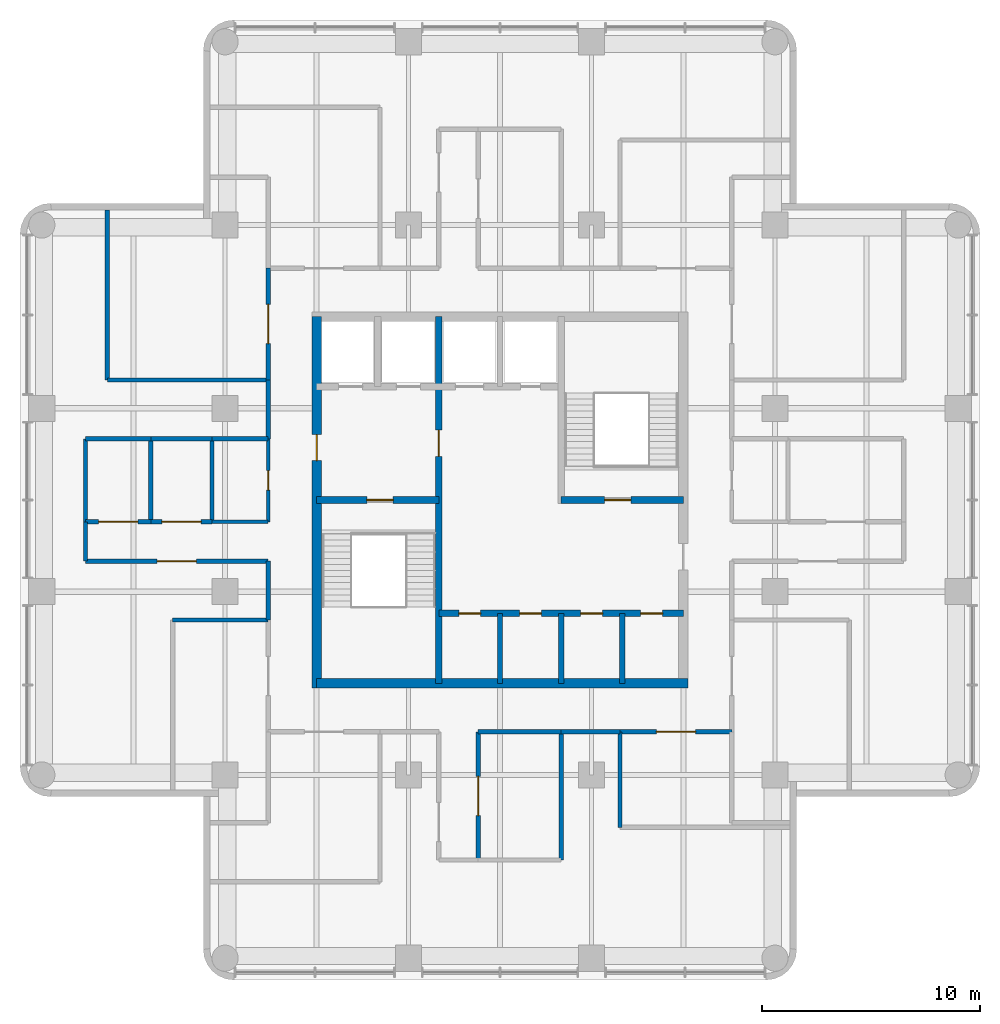
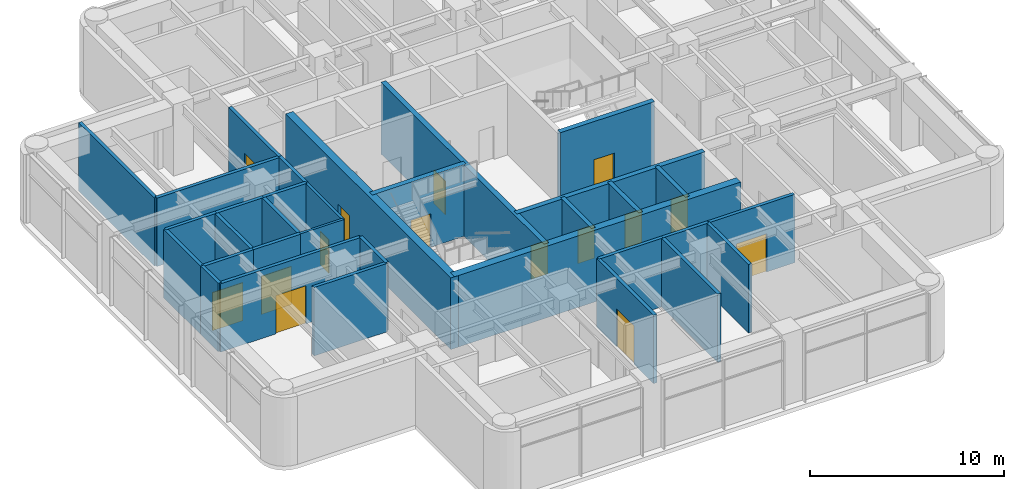
# One storey, part 5 of 8: 33 walls, 15 doors, 15 openings.
"""IFC4 building model written with IfcOpenShell, lengths in metres."""

from ifc_helpers import new_model, si_unit, direction, frame, frame_2d, origin, place, context, subcontext, project, spatial, rectangle, extrude, material, layer, layer_set, type_object, element, fill, save


model = new_model("IFC4")

# Units and contexts
model_context = context("Model", 3, precision=1e-05, world=origin(), true_north=direction((0.0, 1.0)))
body_context = subcontext(model_context, "Body", "Model", "MODEL_VIEW")
ifc_project = project(units=[si_unit("LENGTHUNIT", "METRE"), si_unit("AREAUNIT", "SQUARE_METRE"), si_unit("VOLUMEUNIT", "CUBIC_METRE"), si_unit("PLANEANGLEUNIT", "RADIAN"), si_unit("MASSUNIT", "GRAM", prefix="KILO")], contexts=[model_context])

# Site, building, storey
site_placement = place(None, origin())
site = spatial("IfcSite", under=ifc_project, at=site_placement, CompositionType="ELEMENT")
building_placement = place(site_placement, origin())
building = spatial("IfcBuilding", under=site, at=building_placement, Name="Torre Alcanfor", CompositionType="ELEMENT")
storey_placement = place(building_placement, frame((0.0, 0.0, 305.39990234375)))
storey = spatial("IfcBuildingStorey", under=building, at=storey_placement, Name="L80", CompositionType="ELEMENT", Elevation=305.39990234375)

# Wall, opening, door
ifc_material_1 = material(Name="Concrete f'c 70 MPa", Category="concrete")
ifc_layer_1 = layer(ifc_material_1, 0.300048828125)
ifc_layer_set_1 = layer_set([ifc_layer_1], Name="Core inner wall 300 f'c70")
wall_type_1 = type_object("IfcWallType", Name="Core inner wall 300 f'c70", PredefinedType="SHEAR", material=ifc_layer_set_1)
wall_1_placement = place(storey_placement, frame((26.60009765625, 21.0, 0.0), z_axis=(0.0, 0.0, 1.0), x_axis=(0.0, 1.0, 0.0)))
wall_1 = element("IfcWall", 1, at=wall_1_placement, inside=storey, type_object=wall_type_1, Name="Core wall X266 L80", PredefinedType="SHEAR", context=body_context, shape_type="SweptSolid", body=[
    extrude(rectangle(XDim=16.800048828125, YDim=0.300048828125, at=frame_2d((8.39990234375, 0.0))), origin(), (0.0, 0.0, 1.0), 4.5),
])
opening_1_placement = place(wall_1_placement, frame((10.39990234375, 0.0, 0.0)))
opening_1 = element("IfcOpeningElement", 2, at=opening_1_placement, cuts=wall_1, Name="Opening D-L1", PredefinedType="OPENING", context=body_context, shape_type="SweptSolid", body=[
    extrude(rectangle(XDim=1.199951171875, YDim=2.10009765625, at=frame_2d((0.60009765625, 1.050048828125))), frame((0.0, 0.159912109375, 0.0), z_axis=(0.0, -1.0, 0.0), x_axis=(1.0, 0.0, 0.0)), (0.0, 0.0, 1.0), 0.320068359375),
])
ifc_material_2 = material(Name="Galvanised steel sheet ASTM A653", Category="steel")
door_type_1 = type_object("IfcDoorType", Name="Lobby door FD120 1200x2100", OperationType="SINGLE_SWING_LEFT", PredefinedType="DOOR", material=ifc_material_2)
door_1_placement = place(opening_1_placement, origin())
door_1 = element("IfcDoor", 3, at=door_1_placement, inside=storey, type_object=door_type_1, Name="Lift lobby door L80", OperationType="SINGLE_SWING_LEFT", OverallHeight=2.10009765625, OverallWidth=1.199951171875, PredefinedType="DOOR", context=body_context, shape_type="SweptSolid", body=[
    extrude(rectangle(XDim=1.199951171875, YDim=2.10009765625, at=frame_2d((0.60009765625, 1.050048828125))), frame((0.0, 0.02490234375, 0.0), z_axis=(0.0, -1.0, 0.0), x_axis=(1.0, 0.0, 0.0)), (0.0, 0.0, 1.0), 0.050048828125),
])
fill(opening_1, door_1)

wall_2_placement = place(storey_placement, frame((21.0, 29.39990234375, 0.0), z_axis=(0.0, 0.0, 1.0), x_axis=(1.0, 0.0, 0.0)))
wall_2 = element("IfcWall", 4, at=wall_2_placement, inside=storey, type_object=wall_type_1, Name="Core wall Y294W L80", PredefinedType="SHEAR", context=body_context, shape_type="SweptSolid", body=[
    extrude(rectangle(XDim=5.60009765625, YDim=0.300048828125, at=frame_2d((2.800048828125, 0.0))), origin(), (0.0, 0.0, 1.0), 4.5),
])
opening_2_placement = place(wall_2_placement, frame((2.300048828125, 0.0, 0.0)))
opening_2 = element("IfcOpeningElement", 5, at=opening_2_placement, cuts=wall_2, Name="Opening D-S2", PredefinedType="OPENING", context=body_context, shape_type="SweptSolid", body=[
    extrude(rectangle(XDim=1.199951171875, YDim=2.10009765625, at=frame_2d((0.60009765625, 1.050048828125))), frame((0.0, 0.159912109375, 0.0), z_axis=(0.0, -1.0, 0.0), x_axis=(1.0, 0.0, 0.0)), (0.0, 0.0, 1.0), 0.320068359375),
])
ifc_material_3 = material(Name="Galvanised steel sheet ASTM A653", Category="steel")
door_type_2 = type_object("IfcDoorType", Name="Stair enclosure door FD120 1200x2100", OperationType="SINGLE_SWING_LEFT", PredefinedType="DOOR", material=ifc_material_3)
door_2_placement = place(opening_2_placement, frame((1.199951171875, 0.0, 0.0), z_axis=(0.0, 0.0, 1.0), x_axis=(-1.0, 0.0, 0.0)))
door_2 = element("IfcDoor", 6, at=door_2_placement, inside=storey, type_object=door_type_2, Name="Stair S1 door L80", OperationType="SINGLE_SWING_LEFT", OverallHeight=2.10009765625, OverallWidth=1.199951171875, PredefinedType="DOOR", context=body_context, shape_type="SweptSolid", body=[
    extrude(rectangle(XDim=1.199951171875, YDim=2.10009765625, at=frame_2d((0.599853515625, 1.050048828125))), frame((0.0, 0.025146484375, 0.0), z_axis=(0.0, -1.0, 0.0), x_axis=(1.0, 0.0, 0.0)), (0.0, 0.0, 1.0), 0.050048828125),
])
fill(opening_2, door_2)

# Wall, openings, doors
wall_3_placement = place(storey_placement, frame((26.60009765625, 24.199951171875, 0.0), z_axis=(0.0, 0.0, 1.0), x_axis=(1.0, 0.0, 0.0)))
wall_3 = element("IfcWall", 7, at=wall_3_placement, inside=storey, type_object=wall_type_1, Name="Core wall Y242 L80", PredefinedType="SHEAR", context=body_context, shape_type="SweptSolid", body=[
    extrude(rectangle(XDim=11.199951171875, YDim=0.300048828125, at=frame_2d((5.60009765625, 0.0))), origin(), (0.0, 0.0, 1.0), 4.5),
])
opening_3_placement = place(wall_3_placement, frame((0.91259765625, 0.0, 0.0)))
opening_3 = element("IfcOpeningElement", 8, at=opening_3_placement, cuts=wall_3, Name="Opening D-K1", PredefinedType="OPENING", context=body_context, shape_type="SweptSolid", body=[
    extrude(rectangle(XDim=1.0, YDim=2.10009765625, at=frame_2d((0.5, 1.050048828125))), frame((0.0, 0.159912109375, 0.0), z_axis=(0.0, -1.0, 0.0), x_axis=(1.0, 0.0, 0.0)), (0.0, 0.0, 1.0), 0.320068359375),
])
opening_4_placement = place(wall_3_placement, frame((3.699951171875, 0.0, 0.0)))
opening_4 = element("IfcOpeningElement", 9, at=opening_4_placement, cuts=wall_3, Name="Opening D-K1", PredefinedType="OPENING", context=body_context, shape_type="SweptSolid", body=[
    extrude(rectangle(XDim=1.0, YDim=2.10009765625, at=frame_2d((0.5, 1.050048828125))), frame((0.0, 0.159912109375, 0.0), z_axis=(0.0, -1.0, 0.0), x_axis=(1.0, 0.0, 0.0)), (0.0, 0.0, 1.0), 0.320068359375),
])
opening_5_placement = place(wall_3_placement, frame((6.5, 0.0, 0.0)))
opening_5 = element("IfcOpeningElement", 10, at=opening_5_placement, cuts=wall_3, Name="Opening D-K1", PredefinedType="OPENING", context=body_context, shape_type="SweptSolid", body=[
    extrude(rectangle(XDim=1.0, YDim=2.10009765625, at=frame_2d((0.5, 1.050048828125))), frame((0.0, 0.159912109375, 0.0), z_axis=(0.0, -1.0, 0.0), x_axis=(1.0, 0.0, 0.0)), (0.0, 0.0, 1.0), 0.320068359375),
])
opening_6_placement = place(wall_3_placement, frame((9.25, 0.0, 0.0)))
opening_6 = element("IfcOpeningElement", 11, at=opening_6_placement, cuts=wall_3, Name="Opening D-K1", PredefinedType="OPENING", context=body_context, shape_type="SweptSolid", body=[
    extrude(rectangle(XDim=1.0, YDim=2.10009765625, at=frame_2d((0.5, 1.050048828125))), frame((0.0, 0.159912109375, 0.0), z_axis=(0.0, -1.0, 0.0), x_axis=(1.0, 0.0, 0.0)), (0.0, 0.0, 1.0), 0.320068359375),
])
ifc_material_4 = material(Name="Galvanised steel sheet ASTM A653", Category="steel")
door_type_3 = type_object("IfcDoorType", Name="Core room door FD60 1000x2100", OperationType="SINGLE_SWING_LEFT", PredefinedType="DOOR", material=ifc_material_4)
door_3_placement = place(opening_3_placement, frame((1.0, 0.0, 0.0), z_axis=(0.0, 0.0, 1.0), x_axis=(-1.0, 0.0, 0.0)))
door_3 = element("IfcDoor", 12, at=door_3_placement, inside=storey, type_object=door_type_3, Name="Plant store door L80", OperationType="SINGLE_SWING_RIGHT", OverallHeight=2.10009765625, OverallWidth=1.0, PredefinedType="DOOR", context=body_context, shape_type="SweptSolid", body=[
    extrude(rectangle(XDim=1.0, YDim=2.10009765625, at=frame_2d((0.5, 1.050048828125))), frame((0.0, 0.025146484375, 0.0), z_axis=(0.0, -1.0, 0.0), x_axis=(1.0, 0.0, 0.0)), (0.0, 0.0, 1.0), 0.050048828125),
])
fill(opening_3, door_3)
door_4_placement = place(opening_4_placement, frame((1.0, 0.0, 0.0), z_axis=(0.0, 0.0, 1.0), x_axis=(-1.0, 0.0, 0.0)))
door_4 = element("IfcDoor", 13, at=door_4_placement, inside=storey, type_object=door_type_3, Name="Maintenance store door L80", OperationType="SINGLE_SWING_RIGHT", OverallHeight=2.10009765625, OverallWidth=1.0, PredefinedType="DOOR", context=body_context, shape_type="SweptSolid", body=[
    extrude(rectangle(XDim=1.0, YDim=2.10009765625, at=frame_2d((0.5, 1.050048828125))), frame((0.0, 0.025146484375, 0.0), z_axis=(0.0, -1.0, 0.0), x_axis=(1.0, 0.0, 0.0)), (0.0, 0.0, 1.0), 0.050048828125),
])
fill(opening_4, door_4)
door_5_placement = place(opening_5_placement, frame((1.0, 0.0, 0.0), z_axis=(0.0, 0.0, 1.0), x_axis=(-1.0, 0.0, 0.0)))
door_5 = element("IfcDoor", 14, at=door_5_placement, inside=storey, type_object=door_type_3, Name="Plant maintenance store door L80", OperationType="SINGLE_SWING_RIGHT", OverallHeight=2.10009765625, OverallWidth=1.0, PredefinedType="DOOR", context=body_context, shape_type="SweptSolid", body=[
    extrude(rectangle(XDim=1.0, YDim=2.10009765625, at=frame_2d((0.5, 1.050048828125))), frame((0.0, 0.025146484375, 0.0), z_axis=(0.0, -1.0, 0.0), x_axis=(1.0, 0.0, 0.0)), (0.0, 0.0, 1.0), 0.050048828125),
])
fill(opening_5, door_5)
door_6_placement = place(opening_6_placement, frame((1.0, 0.0, 0.0), z_axis=(0.0, 0.0, 1.0), x_axis=(-1.0, 0.0, 0.0)))
door_6 = element("IfcDoor", 15, at=door_6_placement, inside=storey, type_object=door_type_3, Name="Plant spares store door L80", OperationType="SINGLE_SWING_RIGHT", OverallHeight=2.10009765625, OverallWidth=1.0, PredefinedType="DOOR", context=body_context, shape_type="SweptSolid", body=[
    extrude(rectangle(XDim=1.0, YDim=2.10009765625, at=frame_2d((0.5, 1.050048828125))), frame((0.0, 0.025146484375, 0.0), z_axis=(0.0, -1.0, 0.0), x_axis=(1.0, 0.0, 0.0)), (0.0, 0.0, 1.0), 0.050048828125),
])
fill(opening_6, door_6)

# Wall, opening, door
wall_4_placement = place(storey_placement, frame((32.199951171875, 29.39990234375, 0.0), z_axis=(0.0, 0.0, 1.0), x_axis=(1.0, 0.0, 0.0)))
wall_4 = element("IfcWall", 16, at=wall_4_placement, inside=storey, type_object=wall_type_1, Name="Core wall Y294E L80", PredefinedType="SHEAR", context=body_context, shape_type="SweptSolid", body=[
    extrude(rectangle(XDim=5.60009765625, YDim=0.300048828125, at=frame_2d((2.800048828125, 0.0))), origin(), (0.0, 0.0, 1.0), 4.5),
])
opening_7_placement = place(wall_4_placement, frame((2.0, 0.0, 0.0)))
opening_7 = element("IfcOpeningElement", 17, at=opening_7_placement, cuts=wall_4, Name="Opening D-S2", PredefinedType="OPENING", context=body_context, shape_type="SweptSolid", body=[
    extrude(rectangle(XDim=1.199951171875, YDim=2.10009765625, at=frame_2d((0.60009765625, 1.050048828125))), frame((0.0, 0.159912109375, 0.0), z_axis=(0.0, -1.0, 0.0), x_axis=(1.0, 0.0, 0.0)), (0.0, 0.0, 1.0), 0.320068359375),
])
door_7_placement = place(opening_7_placement, origin())
door_7 = element("IfcDoor", 18, at=door_7_placement, inside=storey, type_object=door_type_2, Name="Stair S2 door L80", OperationType="SINGLE_SWING_LEFT", OverallHeight=2.10009765625, OverallWidth=1.199951171875, PredefinedType="DOOR", context=body_context, shape_type="SweptSolid", body=[
    extrude(rectangle(XDim=1.199951171875, YDim=2.10009765625, at=frame_2d((0.60009765625, 1.050048828125))), frame((0.0, 0.02490234375, 0.0), z_axis=(0.0, -1.0, 0.0), x_axis=(1.0, 0.0, 0.0)), (0.0, 0.0, 1.0), 0.050048828125),
])
fill(opening_7, door_7)

# Walls
ifc_material_5 = material(Name="Concrete f'c 70 MPa", Category="concrete")
ifc_layer_2 = layer(ifc_material_5, 0.25)
ifc_layer_set_2 = layer_set([ifc_layer_2], Name="Core shaft wall 250 f'c70")
wall_type_2 = type_object("IfcWallType", Name="Core shaft wall 250 f'c70", PredefinedType="SHEAR", material=ifc_layer_set_2)
for number, where, z_axis, x_axis, name in (
    (19, (29.39990234375, 21.0, 0.0), (0.0, 0.0, 1.0), (0.0, 1.0, 0.0), "Core wall X294S L80"),
    (20, (32.199951171875, 21.0, 0.0), (0.0, 0.0, 1.0), (0.0, 1.0, 0.0), "Core wall X322S L80"),
    (21, (35.0, 21.0, 0.0), (0.0, 0.0, 1.0), (0.0, 1.0, 0.0), "Core wall X350S L80"),
):
    element("IfcWall", number, at=place(storey_placement, frame(where, z_axis=z_axis, x_axis=x_axis)), inside=storey, type_object=wall_type_2, Name=name, PredefinedType="SHEAR", context=body_context, shape_type="SweptSolid", body=[
        extrude(rectangle(XDim=3.199951171875, YDim=0.25, at=frame_2d((1.60009765625, 0.0))), origin(), (0.0, 0.0, 1.0), 4.5),
    ])
ifc_material_6 = material(Name="Concrete f'c 70 MPa", Category="concrete")
ifc_layer_3 = layer(ifc_material_6, 0.449951171875)
ifc_layer_set_3 = layer_set([ifc_layer_3], Name="Core wall 450 f'c70")
wall_type_3 = type_object("IfcWallType", Name="Core wall 450 f'c70", PredefinedType="SHEAR", material=ifc_layer_set_3)
wall_5_placement = place(storey_placement, frame((21.0, 21.0, 0.0), z_axis=(0.0, 0.0, 1.0), x_axis=(1.0, 0.0, 0.0)))
element("IfcWall", 22, at=wall_5_placement, inside=storey, type_object=wall_type_3, Name="Core wall OUT-S L80", PredefinedType="SHEAR", context=body_context, shape_type="SweptSolid", body=[
    extrude(rectangle(XDim=17.02490234375, YDim=0.449951171875, at=frame_2d((8.512451171875, 0.0))), origin(), (0.0, 0.0, 1.0), 4.5),
])

# Wall, opening, door
wall_6_placement = place(storey_placement, frame((21.0, 37.800048828125, 0.0), z_axis=(0.0, 0.0, 1.0), x_axis=(0.0, -1.0, 0.0)))
wall_6 = element("IfcWall", 23, at=wall_6_placement, inside=storey, type_object=wall_type_3, Name="Core wall OUT-W L80", PredefinedType="SHEAR", context=body_context, shape_type="SweptSolid", body=[
    extrude(rectangle(XDim=17.025146484375, YDim=0.449951171875, at=frame_2d((8.5126953125, 0.0))), origin(), (0.0, 0.0, 1.0), 4.5),
])
opening_8_placement = place(wall_6_placement, frame((5.39990234375, 0.0, 0.0)))
opening_8 = element("IfcOpeningElement", 24, at=opening_8_placement, cuts=wall_6, Name="Opening D-L1", PredefinedType="OPENING", context=body_context, shape_type="SweptSolid", body=[
    extrude(rectangle(XDim=1.199951171875, YDim=2.10009765625, at=frame_2d((0.60009765625, 1.050048828125))), frame((0.0, 0.23486328125, 0.0), z_axis=(0.0, -1.0, 0.0), x_axis=(1.0, 0.0, 0.0)), (0.0, 0.0, 1.0), 0.469970703125),
])
door_8_placement = place(opening_8_placement, origin())
door_8 = element("IfcDoor", 25, at=door_8_placement, inside=storey, type_object=door_type_1, Name="Firefighting lobby door L80", OperationType="SINGLE_SWING_RIGHT", OverallHeight=2.10009765625, OverallWidth=1.199951171875, PredefinedType="DOOR", context=body_context, shape_type="SweptSolid", body=[
    extrude(rectangle(XDim=1.199951171875, YDim=2.10009765625, at=frame_2d((0.60009765625, 1.050048828125))), frame((0.0, 0.02490234375, 0.0), z_axis=(0.0, -1.0, 0.0), x_axis=(1.0, 0.0, 0.0)), (0.0, 0.0, 1.0), 0.050048828125),
])
fill(opening_8, door_8)

ifc_material_7 = material(Name="Concrete block masonry, hollow blocks NMX-C-404 9 MPa", Category="masonry")
ifc_layer_4 = layer(ifc_material_7, 0.199951171875)
ifc_layer_set_4 = layer_set([ifc_layer_4], Name="Plant room wall 200 EI 60")
wall_type_4 = type_object("IfcWallType", Name="Plant room wall 200 EI 60", PredefinedType="PARTITIONING", material=ifc_layer_set_4)
wall_7_placement = place(storey_placement, frame((40.02490234375, 18.77490234375, 0.0), z_axis=(0.0, 0.0, 1.0), x_axis=(-1.0, 0.0, 0.0)))
wall_7 = element("IfcWall", 26, at=wall_7_placement, inside=storey, type_object=wall_type_4, Name="Partition L80-CORR / L80-S2", PredefinedType="PARTITIONING", context=body_context, shape_type="SweptSolid", body=[
    extrude(rectangle(XDim=5.125, YDim=0.199951171875, at=frame_2d((2.5625, 0.0))), origin(), (0.0, 0.0, 1.0), 4.300048828125),
])
opening_9_placement = place(wall_7_placement, frame((1.66259765625, 0.0, 0.0)))
opening_9 = element("IfcOpeningElement", 27, at=opening_9_placement, cuts=wall_7, Name="Opening D-P1", PredefinedType="OPENING", context=body_context, shape_type="SweptSolid", body=[
    extrude(rectangle(XDim=1.800048828125, YDim=2.39990234375, at=frame_2d((0.89990234375, 1.199951171875))), frame((0.0, 0.10986328125, 0.0), z_axis=(0.0, -1.0, 0.0), x_axis=(1.0, 0.0, 0.0)), (0.0, 0.0, 1.0), 0.219970703125),
])
ifc_material_8 = material(Name="Galvanised steel sheet ASTM A653", Category="steel")
door_type_4 = type_object("IfcDoorType", Name="Plant room door FD60 1800x2400", OperationType="DOUBLE_DOOR_SINGLE_SWING", PredefinedType="DOOR", material=ifc_material_8)
door_9_placement = place(opening_9_placement, origin())
door_9 = element("IfcDoor", 28, at=door_9_placement, inside=storey, type_object=door_type_4, Name="Door L80-S2 booster pump room", OperationType="DOUBLE_DOOR_SINGLE_SWING", OverallHeight=2.39990234375, OverallWidth=1.800048828125, PredefinedType="DOOR", context=body_context, shape_type="SweptSolid", body=[
    extrude(rectangle(XDim=1.800048828125, YDim=2.39990234375, at=frame_2d((0.89990234375, 1.199951171875))), frame((0.0, 0.02490234375, 0.0), z_axis=(0.0, -1.0, 0.0), x_axis=(1.0, 0.0, 0.0)), (0.0, 0.0, 1.0), 0.050048828125),
])
fill(opening_9, door_9)

# Walls
wall_8_placement = place(storey_placement, frame((32.199951171875, 18.77490234375, 0.0), z_axis=(0.0, 0.0, 1.0), x_axis=(-1.0, 0.0, 0.0)))
element("IfcWall", 29, at=wall_8_placement, inside=storey, type_object=wall_type_4, Name="Partition L80-CORR / L80-S3", PredefinedType="PARTITIONING", context=body_context, shape_type="SweptSolid", body=[
    extrude(rectangle(XDim=3.800048828125, YDim=0.199951171875, at=frame_2d((1.89990234375, 0.0))), origin(), (0.0, 0.0, 1.0), 4.300048828125),
])
wall_9_placement = place(storey_placement, frame((34.89990234375, 18.77490234375, 0.0), z_axis=(0.0, 0.0, 1.0), x_axis=(-1.0, 0.0, 0.0)))
element("IfcWall", 30, at=wall_9_placement, inside=storey, type_object=wall_type_4, Name="Partition L80-CORR / L80-SH", PredefinedType="PARTITIONING", context=body_context, shape_type="SweptSolid", body=[
    extrude(rectangle(XDim=2.699951171875, YDim=0.199951171875, at=frame_2d((1.35009765625, 0.0))), origin(), (0.0, 0.0, 1.0), 4.300048828125),
])

# Wall, opening, door
wall_10_placement = place(storey_placement, frame((18.77490234375, 34.89990234375, 0.0), z_axis=(0.0, 0.0, 1.0), x_axis=(0.0, 1.0, 0.0)))
wall_10 = element("IfcWall", 31, at=wall_10_placement, inside=storey, type_object=wall_type_4, Name="Partition L80-CORR / L80-W2", PredefinedType="PARTITIONING", context=body_context, shape_type="SweptSolid", body=[
    extrude(rectangle(XDim=5.125, YDim=0.199951171875, at=frame_2d((2.5625, 0.0))), origin(), (0.0, 0.0, 1.0), 4.300048828125),
])
opening_10_placement = place(wall_10_placement, frame((1.66259765625, 0.0, 0.0)))
opening_10 = element("IfcOpeningElement", 32, at=opening_10_placement, cuts=wall_10, Name="Opening D-P1", PredefinedType="OPENING", context=body_context, shape_type="SweptSolid", body=[
    extrude(rectangle(XDim=1.800048828125, YDim=2.39990234375, at=frame_2d((0.89990234375, 1.199951171875))), frame((0.0, 0.10986328125, 0.0), z_axis=(0.0, -1.0, 0.0), x_axis=(1.0, 0.0, 0.0)), (0.0, 0.0, 1.0), 0.219970703125),
])
door_10_placement = place(opening_10_placement, origin())
door_10 = element("IfcDoor", 33, at=door_10_placement, inside=storey, type_object=door_type_4, Name="Door L80-W2 window cleaning plant room", OperationType="DOUBLE_DOOR_SINGLE_SWING", OverallHeight=2.39990234375, OverallWidth=1.800048828125, PredefinedType="DOOR", context=body_context, shape_type="SweptSolid", body=[
    extrude(rectangle(XDim=1.800048828125, YDim=2.39990234375, at=frame_2d((0.89990234375, 1.199951171875))), frame((0.0, 0.02490234375, 0.0), z_axis=(0.0, -1.0, 0.0), x_axis=(1.0, 0.0, 0.0)), (0.0, 0.0, 1.0), 0.050048828125),
])
fill(opening_10, door_10)

# Walls
wall_11_placement = place(storey_placement, frame((18.77490234375, 23.89990234375, 0.0), z_axis=(0.0, 0.0, 1.0), x_axis=(0.0, 1.0, 0.0)))
element("IfcWall", 34, at=wall_11_placement, inside=storey, type_object=wall_type_4, Name="Partition L80-CORR / L80-WH", PredefinedType="PARTITIONING", context=body_context, shape_type="SweptSolid", body=[
    extrude(rectangle(XDim=2.7001953125, YDim=0.199951171875, at=frame_2d((1.35009765625, 0.0))), origin(), (0.0, 0.0, 1.0), 4.300048828125),
])
wall_12_placement = place(storey_placement, frame((18.77490234375, 32.199951171875, 0.0), z_axis=(0.0, 0.0, 1.0), x_axis=(0.0, 1.0, 0.0)))
element("IfcWall", 35, at=wall_12_placement, inside=storey, type_object=wall_type_4, Name="Partition L80-CORR / L80-WH", PredefinedType="PARTITIONING", context=body_context, shape_type="SweptSolid", body=[
    extrude(rectangle(XDim=2.699951171875, YDim=0.199951171875, at=frame_2d((1.35009765625, 0.0))), origin(), (0.0, 0.0, 1.0), 4.300048828125),
])
wall_13_placement = place(storey_placement, frame((34.89990234375, 14.39990234375, 0.0), z_axis=(0.0, 0.0, 1.0), x_axis=(0.0, 1.0, 0.0)))
element("IfcWall", 36, at=wall_13_placement, inside=storey, type_object=wall_type_4, Name="Partition L80-S2 / L80-SH", PredefinedType="PARTITIONING", context=body_context, shape_type="SweptSolid", body=[
    extrude(rectangle(XDim=4.375, YDim=0.199951171875, at=frame_2d((2.1875, 0.0))), origin(), (0.0, 0.0, 1.0), 4.300048828125),
])

# Wall, opening, door
wall_14_placement = place(storey_placement, frame((28.39990234375, 18.77490234375, 0.0), z_axis=(0.0, 0.0, 1.0), x_axis=(0.0, -1.0, 0.0)))
wall_14 = element("IfcWall", 37, at=wall_14_placement, inside=storey, type_object=wall_type_4, Name="Partition L80-SC / L80-S3", PredefinedType="PARTITIONING", context=body_context, shape_type="SweptSolid", body=[
    extrude(rectangle(XDim=5.875, YDim=0.199951171875, at=frame_2d((2.9375, 0.0))), origin(), (0.0, 0.0, 1.0), 4.300048828125),
])
opening_11_placement = place(wall_14_placement, frame((2.03759765625, 0.0, 0.0)))
opening_11 = element("IfcOpeningElement", 38, at=opening_11_placement, cuts=wall_14, Name="Opening D-P1", PredefinedType="OPENING", context=body_context, shape_type="SweptSolid", body=[
    extrude(rectangle(XDim=1.800048828125, YDim=2.39990234375, at=frame_2d((0.89990234375, 1.199951171875))), frame((0.0, 0.10986328125, 0.0), z_axis=(0.0, -1.0, 0.0), x_axis=(1.0, 0.0, 0.0)), (0.0, 0.0, 1.0), 0.219970703125),
])
door_11_placement = place(opening_11_placement, origin())
door_11 = element("IfcDoor", 39, at=door_11_placement, inside=storey, type_object=door_type_4, Name="Door L80-S3 bms and communications room", OperationType="DOUBLE_DOOR_SINGLE_SWING", OverallHeight=2.39990234375, OverallWidth=1.800048828125, PredefinedType="DOOR", context=body_context, shape_type="SweptSolid", body=[
    extrude(rectangle(XDim=1.800048828125, YDim=2.39990234375, at=frame_2d((0.89990234375, 1.199951171875))), frame((0.0, 0.02490234375, 0.0), z_axis=(0.0, -1.0, 0.0), x_axis=(1.0, 0.0, 0.0)), (0.0, 0.0, 1.0), 0.050048828125),
])
fill(opening_11, door_11)

# Walls
wall_15_placement = place(storey_placement, frame((32.199951171875, 18.77490234375, 0.0), z_axis=(0.0, 0.0, 1.0), x_axis=(0.0, -1.0, 0.0)))
element("IfcWall", 40, at=wall_15_placement, inside=storey, type_object=wall_type_4, Name="Partition L80-S3 / L80-SH", PredefinedType="PARTITIONING", context=body_context, shape_type="SweptSolid", body=[
    extrude(rectangle(XDim=5.875, YDim=0.199951171875, at=frame_2d((2.9375, 0.0))), origin(), (0.0, 0.0, 1.0), 4.300048828125),
])
wall_16_placement = place(storey_placement, frame((14.39990234375, 23.89990234375, 0.0), z_axis=(0.0, 0.0, 1.0), x_axis=(1.0, 0.0, 0.0)))
element("IfcWall", 41, at=wall_16_placement, inside=storey, type_object=wall_type_4, Name="Partition L80-W1 / L80-WH", PredefinedType="PARTITIONING", context=body_context, shape_type="SweptSolid", body=[
    extrude(rectangle(XDim=4.375, YDim=0.199951171875, at=frame_2d((2.1875, 0.0))), origin(), (0.0, 0.0, 1.0), 4.300048828125),
])
wall_17_placement = place(storey_placement, frame((18.77490234375, 34.89990234375, 0.0), z_axis=(0.0, 0.0, 1.0), x_axis=(-1.0, 0.0, 0.0)))
element("IfcWall", 42, at=wall_17_placement, inside=storey, type_object=wall_type_4, Name="Partition L80-W2 / L80-WH", PredefinedType="PARTITIONING", context=body_context, shape_type="SweptSolid", body=[
    extrude(rectangle(XDim=7.375, YDim=0.199951171875, at=frame_2d((3.6875, 0.0))), origin(), (0.0, 0.0, 1.0), 4.300048828125),
])
wall_18_placement = place(storey_placement, frame((11.39990234375, 34.89990234375, 0.0), z_axis=(0.0, 0.0, 1.0), x_axis=(0.0, 1.0, 0.0)))
element("IfcWall", 43, at=wall_18_placement, inside=storey, type_object=wall_type_4, Name="Partition L80-W2 / L80-WH", PredefinedType="PARTITIONING", context=body_context, shape_type="SweptSolid", body=[
    extrude(rectangle(XDim=7.800048828125, YDim=0.199951171875, at=frame_2d((3.89990234375, 0.0))), origin(), (0.0, 0.0, 1.0), 4.300048828125),
])

# Wall, opening, door
wall_19_placement = place(storey_placement, frame((13.39990234375, 28.39990234375, 0.0), z_axis=(0.0, 0.0, 1.0), x_axis=(1.0, 0.0, 0.0)))
wall_19 = element("IfcWall", 44, at=wall_19_placement, inside=storey, type_object=wall_type_4, Name="Partition L80-WC / L80-W4", PredefinedType="PARTITIONING", context=body_context, shape_type="SweptSolid", body=[
    extrude(rectangle(XDim=2.800048828125, YDim=0.199951171875, at=frame_2d((1.39990234375, 0.0))), origin(), (0.0, 0.0, 1.0), 4.300048828125),
])
opening_12_placement = place(wall_19_placement, frame((0.5, 0.0, 0.0)))
opening_12 = element("IfcOpeningElement", 45, at=opening_12_placement, cuts=wall_19, Name="Opening D-P1", PredefinedType="OPENING", context=body_context, shape_type="SweptSolid", body=[
    extrude(rectangle(XDim=1.800048828125, YDim=2.39990234375, at=frame_2d((0.89990234375, 1.199951171875))), frame((0.0, 0.10986328125, 0.0), z_axis=(0.0, -1.0, 0.0), x_axis=(1.0, 0.0, 0.0)), (0.0, 0.0, 1.0), 0.219970703125),
])
door_12_placement = place(opening_12_placement, origin())
door_12 = element("IfcDoor", 46, at=door_12_placement, inside=storey, type_object=door_type_4, Name="Door L80-W4 electrical riser room", OperationType="DOUBLE_DOOR_SINGLE_SWING", OverallHeight=2.39990234375, OverallWidth=1.800048828125, PredefinedType="DOOR", context=body_context, shape_type="SweptSolid", body=[
    extrude(rectangle(XDim=1.800048828125, YDim=2.39990234375, at=frame_2d((0.89990234375, 1.199951171875))), frame((0.0, 0.02490234375, 0.0), z_axis=(0.0, -1.0, 0.0), x_axis=(1.0, 0.0, 0.0)), (0.0, 0.0, 1.0), 0.050048828125),
])
fill(opening_12, door_12)

wall_20_placement = place(storey_placement, frame((10.39990234375, 28.39990234375, 0.0), z_axis=(0.0, 0.0, 1.0), x_axis=(1.0, 0.0, 0.0)))
wall_20 = element("IfcWall", 47, at=wall_20_placement, inside=storey, type_object=wall_type_4, Name="Partition L80-WC / L80-W5", PredefinedType="PARTITIONING", context=body_context, shape_type="SweptSolid", body=[
    extrude(rectangle(XDim=3.0, YDim=0.199951171875, at=frame_2d((1.5, 0.0))), origin(), (0.0, 0.0, 1.0), 4.300048828125),
])
opening_13_placement = place(wall_20_placement, frame((0.60009765625, 0.0, 0.0)))
opening_13 = element("IfcOpeningElement", 48, at=opening_13_placement, cuts=wall_20, Name="Opening D-P1", PredefinedType="OPENING", context=body_context, shape_type="SweptSolid", body=[
    extrude(rectangle(XDim=1.800048828125, YDim=2.39990234375, at=frame_2d((0.89990234375, 1.199951171875))), frame((0.0, 0.10986328125, 0.0), z_axis=(0.0, -1.0, 0.0), x_axis=(1.0, 0.0, 0.0)), (0.0, 0.0, 1.0), 0.219970703125),
])
door_13_placement = place(opening_13_placement, origin())
door_13 = element("IfcDoor", 49, at=door_13_placement, inside=storey, type_object=door_type_4, Name="Door L80-W5 plant store", OperationType="DOUBLE_DOOR_SINGLE_SWING", OverallHeight=2.39990234375, OverallWidth=1.800048828125, PredefinedType="DOOR", context=body_context, shape_type="SweptSolid", body=[
    extrude(rectangle(XDim=1.800048828125, YDim=2.39990234375, at=frame_2d((0.89990234375, 1.199951171875))), frame((0.0, 0.02490234375, 0.0), z_axis=(0.0, -1.0, 0.0), x_axis=(1.0, 0.0, 0.0)), (0.0, 0.0, 1.0), 0.050048828125),
])
fill(opening_13, door_13)

wall_21_placement = place(storey_placement, frame((18.77490234375, 26.60009765625, 0.0), z_axis=(0.0, 0.0, 1.0), x_axis=(-1.0, 0.0, 0.0)))
wall_21 = element("IfcWall", 50, at=wall_21_placement, inside=storey, type_object=wall_type_4, Name="Partition L80-WC / L80-WH", PredefinedType="PARTITIONING", context=body_context, shape_type="SweptSolid", body=[
    extrude(rectangle(XDim=8.375, YDim=0.199951171875, at=frame_2d((4.1875, 0.0))), origin(), (0.0, 0.0, 1.0), 4.300048828125),
])
opening_14_placement = place(wall_21_placement, frame((3.28759765625, 0.0, 0.0)))
opening_14 = element("IfcOpeningElement", 51, at=opening_14_placement, cuts=wall_21, Name="Opening D-P1", PredefinedType="OPENING", context=body_context, shape_type="SweptSolid", body=[
    extrude(rectangle(XDim=1.800048828125, YDim=2.39990234375, at=frame_2d((0.89990234375, 1.199951171875))), frame((0.0, 0.10986328125, 0.0), z_axis=(0.0, -1.0, 0.0), x_axis=(1.0, 0.0, 0.0)), (0.0, 0.0, 1.0), 0.219970703125),
])
door_14_placement = place(opening_14_placement, origin())
door_14 = element("IfcDoor", 52, at=door_14_placement, inside=storey, type_object=door_type_4, Name="Door L80-WH air handling plant room", OperationType="DOUBLE_DOOR_SINGLE_SWING", OverallHeight=2.39990234375, OverallWidth=1.800048828125, PredefinedType="DOOR", context=body_context, shape_type="SweptSolid", body=[
    extrude(rectangle(XDim=1.800048828125, YDim=2.39990234375, at=frame_2d((0.89990234375, 1.199951171875))), frame((0.0, 0.02490234375, 0.0), z_axis=(0.0, -1.0, 0.0), x_axis=(1.0, 0.0, 0.0)), (0.0, 0.0, 1.0), 0.050048828125),
])
fill(opening_14, door_14)

# Walls
wall_22_placement = place(storey_placement, frame((10.39990234375, 26.60009765625, 0.0), z_axis=(0.0, 0.0, 1.0), x_axis=(0.0, 1.0, 0.0)))
element("IfcWall", 53, at=wall_22_placement, inside=storey, type_object=wall_type_4, Name="Partition L80-WC / L80-WH", PredefinedType="PARTITIONING", context=body_context, shape_type="SweptSolid", body=[
    extrude(rectangle(XDim=1.7998046875, YDim=0.199951171875, at=frame_2d((0.89990234375, 0.0))), origin(), (0.0, 0.0, 1.0), 4.300048828125),
])
wall_23_placement = place(storey_placement, frame((16.199951171875, 28.39990234375, 0.0), z_axis=(0.0, 0.0, 1.0), x_axis=(0.0, 1.0, 0.0)))
element("IfcWall", 54, at=wall_23_placement, inside=storey, type_object=wall_type_4, Name="Partition L80-W3 / L80-W4", PredefinedType="PARTITIONING", context=body_context, shape_type="SweptSolid", body=[
    extrude(rectangle(XDim=3.800048828125, YDim=0.199951171875, at=frame_2d((1.89990234375, 0.0))), origin(), (0.0, 0.0, 1.0), 4.300048828125),
])
wall_24_placement = place(storey_placement, frame((16.199951171875, 32.199951171875, 0.0), z_axis=(0.0, 0.0, 1.0), x_axis=(1.0, 0.0, 0.0)))
element("IfcWall", 55, at=wall_24_placement, inside=storey, type_object=wall_type_4, Name="Partition L80-W3 / L80-WH", PredefinedType="PARTITIONING", context=body_context, shape_type="SweptSolid", body=[
    extrude(rectangle(XDim=2.574951171875, YDim=0.199951171875, at=frame_2d((1.28759765625, 0.0))), origin(), (0.0, 0.0, 1.0), 4.300048828125),
])
wall_25_placement = place(storey_placement, frame((13.39990234375, 28.39990234375, 0.0), z_axis=(0.0, 0.0, 1.0), x_axis=(0.0, 1.0, 0.0)))
element("IfcWall", 56, at=wall_25_placement, inside=storey, type_object=wall_type_4, Name="Partition L80-W4 / L80-W5", PredefinedType="PARTITIONING", context=body_context, shape_type="SweptSolid", body=[
    extrude(rectangle(XDim=3.800048828125, YDim=0.199951171875, at=frame_2d((1.89990234375, 0.0))), origin(), (0.0, 0.0, 1.0), 4.300048828125),
])
wall_26_placement = place(storey_placement, frame((13.39990234375, 32.199951171875, 0.0), z_axis=(0.0, 0.0, 1.0), x_axis=(1.0, 0.0, 0.0)))
element("IfcWall", 57, at=wall_26_placement, inside=storey, type_object=wall_type_4, Name="Partition L80-W4 / L80-WH", PredefinedType="PARTITIONING", context=body_context, shape_type="SweptSolid", body=[
    extrude(rectangle(XDim=2.800048828125, YDim=0.199951171875, at=frame_2d((1.39990234375, 0.0))), origin(), (0.0, 0.0, 1.0), 4.300048828125),
])
wall_27_placement = place(storey_placement, frame((10.39990234375, 28.39990234375, 0.0), z_axis=(0.0, 0.0, 1.0), x_axis=(0.0, 1.0, 0.0)))
element("IfcWall", 58, at=wall_27_placement, inside=storey, type_object=wall_type_4, Name="Partition L80-W5 / L80-WH", PredefinedType="PARTITIONING", context=body_context, shape_type="SweptSolid", body=[
    extrude(rectangle(XDim=3.800048828125, YDim=0.199951171875, at=frame_2d((1.89990234375, 0.0))), origin(), (0.0, 0.0, 1.0), 4.300048828125),
])
wall_28_placement = place(storey_placement, frame((10.39990234375, 32.199951171875, 0.0), z_axis=(0.0, 0.0, 1.0), x_axis=(1.0, 0.0, 0.0)))
element("IfcWall", 59, at=wall_28_placement, inside=storey, type_object=wall_type_4, Name="Partition L80-W5 / L80-WH", PredefinedType="PARTITIONING", context=body_context, shape_type="SweptSolid", body=[
    extrude(rectangle(XDim=3.0, YDim=0.199951171875, at=frame_2d((1.5, 0.0))), origin(), (0.0, 0.0, 1.0), 4.300048828125),
])

# Wall, opening, door
ifc_material_9 = material(Name="Cement board on steel studs", Category="steel")
ifc_layer_5 = layer(ifc_material_9, 0.14990234375)
ifc_layer_set_5 = layer_set([ifc_layer_5], Name="Wet area partition 150")
wall_type_5 = type_object("IfcWallType", Name="Wet area partition 150", PredefinedType="PARTITIONING", material=ifc_layer_set_5)
wall_29_placement = place(storey_placement, frame((18.77490234375, 28.39990234375, 0.0), z_axis=(0.0, 0.0, 1.0), x_axis=(0.0, 1.0, 0.0)))
wall_29 = element("IfcWall", 60, at=wall_29_placement, inside=storey, type_object=wall_type_5, Name="Partition L80-CORR / L80-W3", PredefinedType="PARTITIONING", context=body_context, shape_type="SweptSolid", body=[
    extrude(rectangle(XDim=3.800048828125, YDim=0.14990234375, at=frame_2d((1.89990234375, 0.0))), origin(), (0.0, 0.0, 1.0), 4.300048828125),
])
opening_15_placement = place(wall_29_placement, frame((1.449951171875, 0.0, 0.0)))
opening_15 = element("IfcOpeningElement", 61, at=opening_15_placement, cuts=wall_29, Name="Opening D-W1", PredefinedType="OPENING", context=body_context, shape_type="SweptSolid", body=[
    extrude(rectangle(XDim=0.89990234375, YDim=2.10009765625, at=frame_2d((0.449951171875, 1.050048828125))), frame((0.0, 0.0849609375, 0.0), z_axis=(0.0, -1.0, 0.0), x_axis=(1.0, 0.0, 0.0)), (0.0, 0.0, 1.0), 0.169921875),
])
ifc_material_10 = material(Name="Timber", Category="wood")
door_type_5 = type_object("IfcDoorType", Name="Toilet door 900x2100", OperationType="SINGLE_SWING_LEFT", PredefinedType="DOOR", material=ifc_material_10)
door_15_placement = place(opening_15_placement, origin())
door_15 = element("IfcDoor", 62, at=door_15_placement, inside=storey, type_object=door_type_5, Name="Door L80-W3 maintenance wc", OperationType="SINGLE_SWING_LEFT", OverallHeight=2.10009765625, OverallWidth=0.89990234375, PredefinedType="DOOR", context=body_context, shape_type="SweptSolid", body=[
    extrude(rectangle(XDim=0.89990234375, YDim=2.10009765625, at=frame_2d((0.449951171875, 1.050048828125))), frame((0.0, 0.02490234375, 0.0), z_axis=(0.0, -1.0, 0.0), x_axis=(1.0, 0.0, 0.0)), (0.0, 0.0, 1.0), 0.050048828125),
])
fill(opening_15, door_15)

# Wall
wall_30_placement = place(storey_placement, frame((16.199951171875, 28.39990234375, 0.0), z_axis=(0.0, 0.0, 1.0), x_axis=(1.0, 0.0, 0.0)))
element("IfcWall", 63, at=wall_30_placement, inside=storey, type_object=wall_type_5, Name="Partition L80-WC / L80-W3", PredefinedType="PARTITIONING", context=body_context, shape_type="SweptSolid", body=[
    extrude(rectangle(XDim=2.574951171875, YDim=0.14990234375, at=frame_2d((1.28759765625, 0.0))), origin(), (0.0, 0.0, 1.0), 4.300048828125),
])

save(model, "model.ifc")
